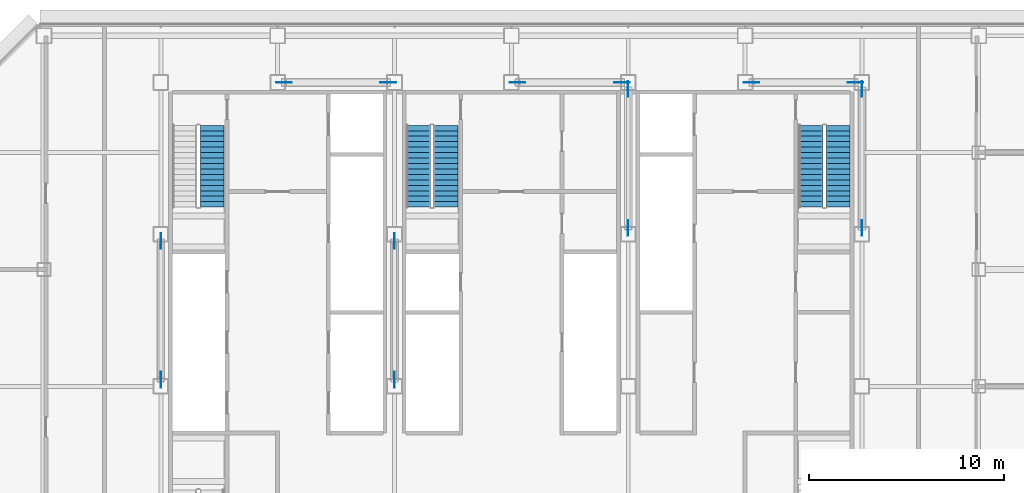
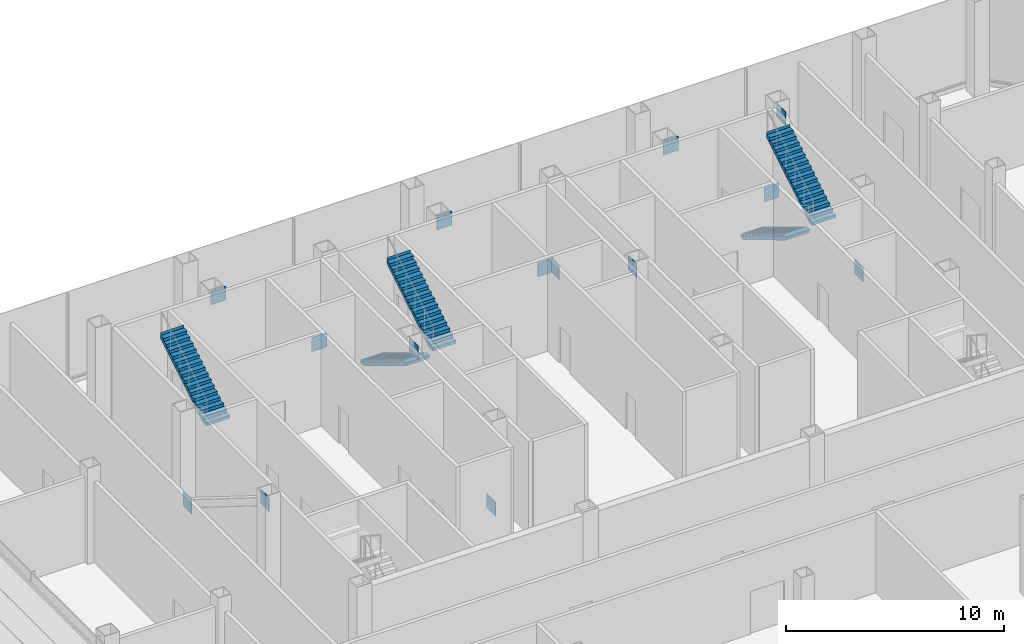
# One storey, part 20 of 23: 14 discrete accessories, 5 stair flights, 3 elements without a shape of their own.
"""IFC4 building model written with IfcOpenShell, lengths in metres."""

from ifc_helpers import new_model, si_unit, direction, frame, origin, origin_2d, place, context, subcontext, project, spatial, polyline, rectangle, outline, extrude, material, layer, layer_set, type_object, element, aggregate, save


model = new_model("IFC4")

# Units and contexts
model_context = context("Model", 3, precision=1e-05, world=origin(), true_north=direction((0.0, 1.0)))
body_context = subcontext(model_context, "Body", "Model", "MODEL_VIEW")
ifc_project = project(units=[si_unit("LENGTHUNIT", "METRE"), si_unit("AREAUNIT", "SQUARE_METRE"), si_unit("VOLUMEUNIT", "CUBIC_METRE"), si_unit("PLANEANGLEUNIT", "RADIAN"), si_unit("MASSUNIT", "GRAM", prefix="KILO")], contexts=[model_context])

# Site, building, storey
site_placement = place(None, origin())
site = spatial("IfcSite", under=ifc_project, at=site_placement, CompositionType="ELEMENT")
building_placement = place(site_placement, origin())
building = spatial("IfcBuilding", under=site, at=building_placement, Name="Sorahane Residences", CompositionType="ELEMENT")
storey_placement = place(building_placement, frame((0.0, 0.0, 114.199951171875)))
storey = spatial("IfcBuildingStorey", under=building, at=storey_placement, Name="L25", CompositionType="ELEMENT", Elevation=114.199951171875)

# Stair, stair flight
ifc_material_1 = material(Name="Concrete C40", Category="concrete")
stair_type = type_object("IfcStairType", Name="Dog-leg stair 1250 Concrete C40", PredefinedType="HALF_TURN_STAIR", material=ifc_material_1)
stair_1_placement = place(storey_placement, origin())
stair_1 = element("IfcStair", 1, at=stair_1_placement, inside=storey, type_object=stair_type, Name="L25 Stair S1", PredefinedType="HALF_TURN_STAIR")
ifc_material_2 = material(Name="Concrete C40", Category="concrete")
stair_flight_type = type_object("IfcStairFlightType", Name="Stair flight 1250 Concrete C40", PredefinedType="STRAIGHT", material=ifc_material_2)
stair_flight_1_placement = place(storey_placement, frame((8.625, 39.199951171875, 2.699951171875), z_axis=(0.0, 0.0, 1.0), x_axis=(0.0, 1.0, 0.0)))
stair_flight_1 = element("IfcStairFlight", 2, at=stair_flight_1_placement, type_object=stair_flight_type, Name="S1 flight 2", NumberOfRisers=16, NumberOfTreads=15, PredefinedType="STRAIGHT", RiserHeight=0.16875, TreadLength=0.28, context=body_context, shape_type="SweptSolid", body=[
    extrude(outline(polyline([(0.0, 0.0), (0.0, 0.168701171875), (0.280029296875, 0.168701171875), (0.280029296875, 0.33740234375), (0.56005859375, 0.33740234375), (0.56005859375, 0.50634765625), (0.840087890625, 0.50634765625), (0.840087890625, 0.675048828125), (1.1201171875, 0.675048828125), (1.1201171875, 0.84375), (1.39990234375, 0.84375), (1.39990234375, 1.012451171875), (1.679931640625, 1.012451171875), (1.679931640625, 1.18115234375), (1.9599609375, 1.18115234375), (1.9599609375, 1.35009765625), (2.239990234375, 1.35009765625), (2.239990234375, 1.518798828125), (2.52001953125, 1.518798828125), (2.52001953125, 1.6875), (2.800048828125, 1.6875), (2.800048828125, 1.856201171875), (3.080078125, 1.856201171875), (3.080078125, 2.02490234375), (3.360107421875, 2.02490234375), (3.360107421875, 2.19384765625), (3.639892578125, 2.19384765625), (3.639892578125, 2.362548828125), (3.919921875, 2.362548828125), (3.919921875, 2.53125), (4.199951171875, 2.53125), (4.199951171875, 2.699951171875), (4.201416015625, 2.699951171875), (4.201416015625, 2.356201171875), (3.971435546875, 2.217529296875), (3.741455078125, 2.0791015625), (3.51123046875, 1.9404296875), (3.28125, 1.8017578125), (3.05126953125, 1.663330078125), (2.821044921875, 1.524658203125), (2.591064453125, 1.385986328125), (2.361083984375, 1.247314453125), (2.130859375, 1.10888671875), (1.90087890625, 0.97021484375), (1.6708984375, 0.83154296875), (1.440673828125, 0.693115234375), (1.210693359375, 0.554443359375), (0.980712890625, 0.415771484375), (0.75048828125, 0.277099609375), (0.5205078125, 0.138671875), (0.29052734375, 0.0), (0.0, 0.0)])), frame((0.0, 0.625, 0.0), z_axis=(0.0, -1.0, 0.0), x_axis=(1.0, 0.0, 0.0)), (0.0, 0.0, 1.0), 1.25),
])
aggregate(stair_1, [stair_flight_1])

# Stair, stair flights
stair_2_placement = place(storey_placement, origin())
stair_2 = element("IfcStair", 3, at=stair_2_placement, inside=storey, type_object=stair_type, Name="L25 Stair S2", PredefinedType="HALF_TURN_STAIR")
stair_flight_2_placement = place(storey_placement, frame((39.375, 43.39990234375, 0.0), z_axis=(0.0, 0.0, 1.0), x_axis=(0.0, -1.0, 0.0)))
stair_flight_2 = element("IfcStairFlight", 4, at=stair_flight_2_placement, type_object=stair_flight_type, Name="S2 flight 1", NumberOfRisers=16, NumberOfTreads=15, PredefinedType="STRAIGHT", RiserHeight=0.16875, TreadLength=0.28, context=body_context, shape_type="SweptSolid", body=[
    extrude(outline(polyline([(-0.00146484375, 0.0), (-0.00146484375, 0.168701171875), (0.0, 0.168701171875), (0.280029296875, 0.168701171875), (0.280029296875, 0.33740234375), (0.56005859375, 0.33740234375), (0.56005859375, 0.50634765625), (0.840087890625, 0.50634765625), (0.840087890625, 0.675048828125), (1.1201171875, 0.675048828125), (1.1201171875, 0.84375), (1.39990234375, 0.84375), (1.39990234375, 1.012451171875), (1.679931640625, 1.012451171875), (1.679931640625, 1.18115234375), (1.9599609375, 1.18115234375), (1.9599609375, 1.35009765625), (2.239990234375, 1.35009765625), (2.239990234375, 1.518798828125), (2.52001953125, 1.518798828125), (2.52001953125, 1.6875), (2.800048828125, 1.6875), (2.800048828125, 1.856201171875), (3.080078125, 1.856201171875), (3.080078125, 2.02490234375), (3.360107421875, 2.02490234375), (3.360107421875, 2.19384765625), (3.639892578125, 2.19384765625), (3.639892578125, 2.362548828125), (3.919921875, 2.362548828125), (3.919921875, 2.53125), (4.199951171875, 2.53125), (4.199951171875, 2.699951171875), (4.199951171875, 2.356201171875), (3.969970703125, 2.217529296875), (3.739990234375, 2.0791015625), (3.510009765625, 1.9404296875), (3.280029296875, 1.8017578125), (3.050048828125, 1.663330078125), (2.820068359375, 1.524658203125), (2.590087890625, 1.385986328125), (2.360107421875, 1.247314453125), (2.130126953125, 1.10888671875), (1.900146484375, 0.97021484375), (1.670166015625, 0.83154296875), (1.440185546875, 0.693115234375), (1.210205078125, 0.554443359375), (0.980224609375, 0.415771484375), (0.750244140625, 0.277099609375), (0.520263671875, 0.138671875), (0.29052734375, 0.0), (-0.00146484375, 0.0)])), frame((0.0, 0.625, 0.0), z_axis=(0.0, -1.0, 0.0), x_axis=(1.0, 0.0, 0.0)), (0.0, 0.0, 1.0), 1.25),
])
stair_flight_3_placement = place(storey_placement, frame((40.77490234375, 39.199951171875, 2.699951171875), z_axis=(0.0, 0.0, 1.0), x_axis=(0.0, 1.0, 0.0)))
stair_flight_3 = element("IfcStairFlight", 5, at=stair_flight_3_placement, type_object=stair_flight_type, Name="S2 flight 2", NumberOfRisers=16, NumberOfTreads=15, PredefinedType="STRAIGHT", RiserHeight=0.16875, TreadLength=0.28, context=body_context, shape_type="SweptSolid", body=[
    extrude(outline(polyline([(0.0, 0.0), (0.0, 0.168701171875), (0.280029296875, 0.168701171875), (0.280029296875, 0.33740234375), (0.56005859375, 0.33740234375), (0.56005859375, 0.50634765625), (0.840087890625, 0.50634765625), (0.840087890625, 0.675048828125), (1.1201171875, 0.675048828125), (1.1201171875, 0.84375), (1.39990234375, 0.84375), (1.39990234375, 1.012451171875), (1.679931640625, 1.012451171875), (1.679931640625, 1.18115234375), (1.9599609375, 1.18115234375), (1.9599609375, 1.35009765625), (2.239990234375, 1.35009765625), (2.239990234375, 1.518798828125), (2.52001953125, 1.518798828125), (2.52001953125, 1.6875), (2.800048828125, 1.6875), (2.800048828125, 1.856201171875), (3.080078125, 1.856201171875), (3.080078125, 2.02490234375), (3.360107421875, 2.02490234375), (3.360107421875, 2.19384765625), (3.639892578125, 2.19384765625), (3.639892578125, 2.362548828125), (3.919921875, 2.362548828125), (3.919921875, 2.53125), (4.199951171875, 2.53125), (4.199951171875, 2.699951171875), (4.201416015625, 2.699951171875), (4.201416015625, 2.356201171875), (3.971435546875, 2.217529296875), (3.741455078125, 2.0791015625), (3.51123046875, 1.9404296875), (3.28125, 1.8017578125), (3.05126953125, 1.663330078125), (2.821044921875, 1.524658203125), (2.591064453125, 1.385986328125), (2.361083984375, 1.247314453125), (2.130859375, 1.10888671875), (1.90087890625, 0.97021484375), (1.6708984375, 0.83154296875), (1.440673828125, 0.693115234375), (1.210693359375, 0.554443359375), (0.980712890625, 0.415771484375), (0.75048828125, 0.277099609375), (0.5205078125, 0.138671875), (0.29052734375, 0.0), (0.0, 0.0)])), frame((0.0, 0.625, 0.0), z_axis=(0.0, -1.0, 0.0), x_axis=(1.0, 0.0, 0.0)), (0.0, 0.0, 1.0), 1.25),
])
aggregate(stair_2, [stair_flight_2, stair_flight_3])

stair_3_placement = place(storey_placement, origin())
stair_3 = element("IfcStair", 6, at=stair_3_placement, inside=storey, type_object=stair_type, Name="L25 Stair S3", PredefinedType="HALF_TURN_STAIR")
stair_flight_4_placement = place(storey_placement, frame((19.22509765625, 43.39990234375, 0.0), z_axis=(0.0, 0.0, 1.0), x_axis=(0.0, -1.0, 0.0)))
stair_flight_4 = element("IfcStairFlight", 7, at=stair_flight_4_placement, type_object=stair_flight_type, Name="S3 flight 1", NumberOfRisers=16, NumberOfTreads=15, PredefinedType="STRAIGHT", RiserHeight=0.16875, TreadLength=0.28, context=body_context, shape_type="SweptSolid", body=[
    extrude(outline(polyline([(-0.00146484375, 0.0), (-0.00146484375, 0.168701171875), (0.0, 0.168701171875), (0.280029296875, 0.168701171875), (0.280029296875, 0.33740234375), (0.56005859375, 0.33740234375), (0.56005859375, 0.50634765625), (0.840087890625, 0.50634765625), (0.840087890625, 0.675048828125), (1.1201171875, 0.675048828125), (1.1201171875, 0.84375), (1.39990234375, 0.84375), (1.39990234375, 1.012451171875), (1.679931640625, 1.012451171875), (1.679931640625, 1.18115234375), (1.9599609375, 1.18115234375), (1.9599609375, 1.35009765625), (2.239990234375, 1.35009765625), (2.239990234375, 1.518798828125), (2.52001953125, 1.518798828125), (2.52001953125, 1.6875), (2.800048828125, 1.6875), (2.800048828125, 1.856201171875), (3.080078125, 1.856201171875), (3.080078125, 2.02490234375), (3.360107421875, 2.02490234375), (3.360107421875, 2.19384765625), (3.639892578125, 2.19384765625), (3.639892578125, 2.362548828125), (3.919921875, 2.362548828125), (3.919921875, 2.53125), (4.199951171875, 2.53125), (4.199951171875, 2.699951171875), (4.199951171875, 2.356201171875), (3.969970703125, 2.217529296875), (3.739990234375, 2.0791015625), (3.510009765625, 1.9404296875), (3.280029296875, 1.8017578125), (3.050048828125, 1.663330078125), (2.820068359375, 1.524658203125), (2.590087890625, 1.385986328125), (2.360107421875, 1.247314453125), (2.130126953125, 1.10888671875), (1.900146484375, 0.97021484375), (1.670166015625, 0.83154296875), (1.440185546875, 0.693115234375), (1.210205078125, 0.554443359375), (0.980224609375, 0.415771484375), (0.750244140625, 0.277099609375), (0.520263671875, 0.138671875), (0.29052734375, 0.0), (-0.00146484375, 0.0)])), frame((0.0, 0.625, 0.0), z_axis=(0.0, -1.0, 0.0), x_axis=(1.0, 0.0, 0.0)), (0.0, 0.0, 1.0), 1.25),
])
stair_flight_5_placement = place(storey_placement, frame((20.625, 39.199951171875, 2.699951171875), z_axis=(0.0, 0.0, 1.0), x_axis=(0.0, 1.0, 0.0)))
stair_flight_5 = element("IfcStairFlight", 8, at=stair_flight_5_placement, type_object=stair_flight_type, Name="S3 flight 2", NumberOfRisers=16, NumberOfTreads=15, PredefinedType="STRAIGHT", RiserHeight=0.16875, TreadLength=0.28, context=body_context, shape_type="SweptSolid", body=[
    extrude(outline(polyline([(0.0, 0.0), (0.0, 0.168701171875), (0.280029296875, 0.168701171875), (0.280029296875, 0.33740234375), (0.56005859375, 0.33740234375), (0.56005859375, 0.50634765625), (0.840087890625, 0.50634765625), (0.840087890625, 0.675048828125), (1.1201171875, 0.675048828125), (1.1201171875, 0.84375), (1.39990234375, 0.84375), (1.39990234375, 1.012451171875), (1.679931640625, 1.012451171875), (1.679931640625, 1.18115234375), (1.9599609375, 1.18115234375), (1.9599609375, 1.35009765625), (2.239990234375, 1.35009765625), (2.239990234375, 1.518798828125), (2.52001953125, 1.518798828125), (2.52001953125, 1.6875), (2.800048828125, 1.6875), (2.800048828125, 1.856201171875), (3.080078125, 1.856201171875), (3.080078125, 2.02490234375), (3.360107421875, 2.02490234375), (3.360107421875, 2.19384765625), (3.639892578125, 2.19384765625), (3.639892578125, 2.362548828125), (3.919921875, 2.362548828125), (3.919921875, 2.53125), (4.199951171875, 2.53125), (4.199951171875, 2.699951171875), (4.201416015625, 2.699951171875), (4.201416015625, 2.356201171875), (3.971435546875, 2.217529296875), (3.741455078125, 2.0791015625), (3.51123046875, 1.9404296875), (3.28125, 1.8017578125), (3.05126953125, 1.663330078125), (2.821044921875, 1.524658203125), (2.591064453125, 1.385986328125), (2.361083984375, 1.247314453125), (2.130859375, 1.10888671875), (1.90087890625, 0.97021484375), (1.6708984375, 0.83154296875), (1.440673828125, 0.693115234375), (1.210693359375, 0.554443359375), (0.980712890625, 0.415771484375), (0.75048828125, 0.277099609375), (0.5205078125, 0.138671875), (0.29052734375, 0.0), (0.0, 0.0)])), frame((0.0, 0.625, 0.0), z_axis=(0.0, -1.0, 0.0), x_axis=(1.0, 0.0, 0.0)), (0.0, 0.0, 1.0), 1.25),
])
aggregate(stair_3, [stair_flight_4, stair_flight_5])

# Discrete accessories
ifc_material_3 = material(Name="Steel Q355B", Category="steel")
ifc_layer = layer(ifc_material_3, 0.02490234375)
ifc_layer_set = layer_set([ifc_layer], Name="Node plate Steel Q355B 25")
discrete_accessory_type = type_object("IfcDiscreteAccessoryType", Name="Node plate Steel Q355B 25", PredefinedType="BRACKET", material=ifc_layer_set)
for number, where, z_axis, x_axis, name in (
    (9, (6.0, 37.46337890625, -0.23974609375), (0.0, 0.0, 1.0), (0.0, 1.0, 0.0), "Node plate L25 br"),
    (10, (6.0, 30.33642578125, 4.2099609375), (0.0, 0.0, 1.0), (0.0, 1.0, 0.0), "Node plate L25 br"),
    (11, (18.0, 30.33642578125, -0.23974609375), (0.0, 0.0, 1.0), (0.0, 1.0, 0.0), "Node plate L25 br"),
    (12, (18.0, 37.46337890625, 4.2099609375), (0.0, 0.0, 1.0), (0.0, 1.0, 0.0), "Node plate L25 br"),
    (13, (30.0, 45.263427734375, -0.23974609375), (0.0, 0.0, 1.0), (0.0, 1.0, 0.0), "Node plate L25 br"),
    (14, (30.0, 38.136474609375, 4.2099609375), (0.0, 0.0, 1.0), (0.0, 1.0, 0.0), "Node plate L25 br"),
    (15, (42.0, 38.136474609375, -0.23974609375), (0.0, 0.0, 1.0), (0.0, 1.0, 0.0), "Node plate L25 br"),
    (16, (42.0, 45.263427734375, 4.2099609375), (0.0, 0.0, 1.0), (0.0, 1.0, 0.0), "Node plate L25 br"),
    (17, (17.67724609375, 45.60009765625, -0.2646484375), (0.0, 0.0, 1.0), (1.0, 0.0, 0.0), "Node plate L25 br"),
    (18, (29.67724609375, 45.60009765625, -0.2646484375), (0.0, 0.0, 1.0), (1.0, 0.0, 0.0), "Node plate L25 br"),
    (19, (41.67724609375, 45.60009765625, -0.2646484375), (0.0, 0.0, 1.0), (1.0, 0.0, 0.0), "Node plate L25 br"),
    (20, (12.32275390625, 45.60009765625, 4.23486328125), (0.0, 0.0, 1.0), (1.0, 0.0, 0.0), "Node plate L25 br"),
    (21, (24.32275390625, 45.60009765625, 4.23486328125), (0.0, 0.0, 1.0), (1.0, 0.0, 0.0), "Node plate L25 br"),
    (22, (36.32275390625, 45.60009765625, 4.23486328125), (0.0, 0.0, 1.0), (1.0, 0.0, 0.0), "Node plate L25 br"),
):
    element("IfcDiscreteAccessory", number, at=place(storey_placement, frame(where, z_axis=z_axis, x_axis=x_axis)), inside=storey, type_object=discrete_accessory_type, Name=name, PredefinedType="BRACKET", context=body_context, shape_type="SweptSolid", body=[
        extrude(rectangle(XDim=0.800048828125, YDim=0.02490234375, at=origin_2d()), origin(), (0.0, 0.0, 1.0), 0.800048828125),
    ])

save(model, "model.ifc")
